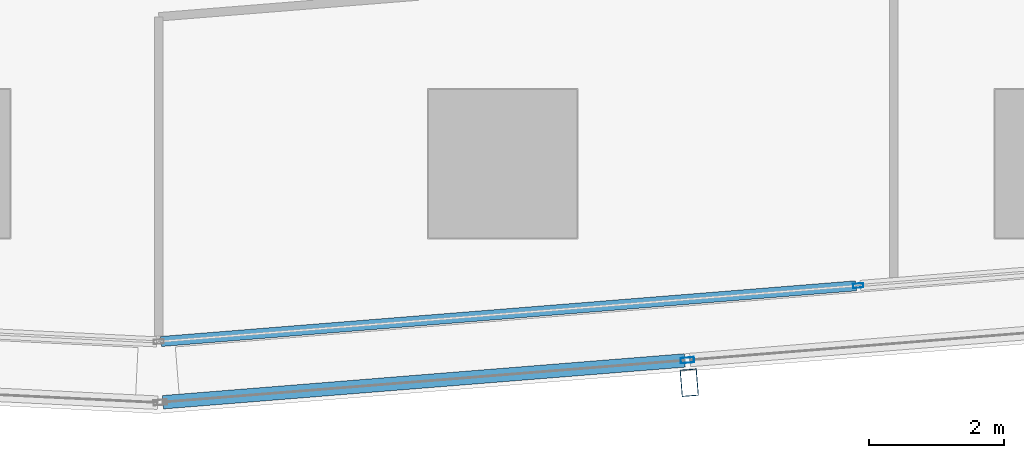
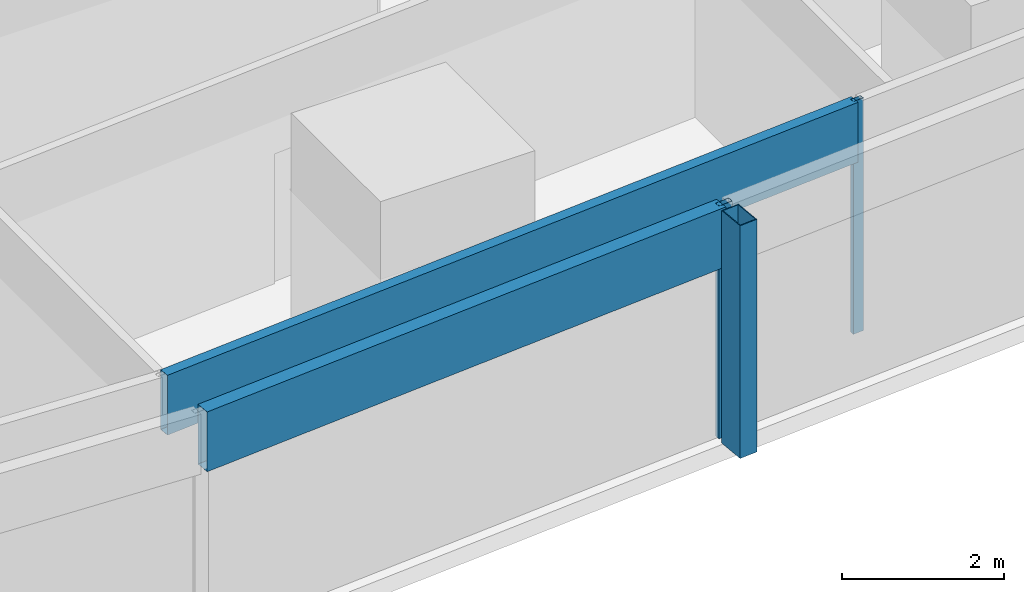
# One storey, part 10 of 44: 5 members, 2 elements without a shape of their own.
"""IFC4 building model written with IfcOpenShell, lengths in metres."""

import ifcopenshell
import ifcopenshell.guid

model = None  # the IFC model being written
_history = None  # IfcOwnerHistory: only IFC2X3 demands one
_inside = {}  # id of a spatial element -> (the spatial element, [elements in it])
_under = {}  # id of a project, library or spatial element -> (it, [spatial elements below it])
_declared = {}  # id of a project -> (the project, [libraries it declares])
_typed = {}  # id of a type object -> (the type object, [elements of that type])
_made_of = {}  # id of a material, layer set ... -> (it, [elements and type objects made of it])


def new_model(schema):
    """Start an empty IFC model of exactly this schema.

    Asked for "IFC4X3", IfcOpenShell would pick the latest addendum, in which some entities
    have other attributes; the version numbers below select the first issue.
    IFC2X3 requires an IfcOwnerHistory on every rooted entity: one is made here for all.
    """
    global model, _history
    if schema == "IFC4X3":
        model = ifcopenshell.file(schema_version=(4, 3, 0, 0))
    else:
        model = ifcopenshell.file(schema=schema)
    _inside.clear()
    _under.clear()
    _declared.clear()
    _typed.clear()
    _made_of.clear()
    _history = None
    if model.schema == "IFC2X3":
        org = make("IfcOrganization", Name="unknown")
        user = make(
            "IfcPersonAndOrganization",
            ThePerson=make("IfcPerson", FamilyName="unknown"),
            TheOrganization=org,
        )
        app = make(
            "IfcApplication",
            ApplicationDeveloper=org,
            Version="unknown",
            ApplicationFullName="unknown",
            ApplicationIdentifier="unknown",
        )
        _history = make(
            "IfcOwnerHistory",
            OwningUser=user,
            OwningApplication=app,
            ChangeAction="ADDED",
            CreationDate=0,
        )
    return model


def make(cls, **values):
    """One entity of the class cls with the attributes given. An attribute that is None is left unset."""
    return model.create_entity(
        cls, **{name: value for name, value in values.items() if value is not None}
    )


def rooted(cls, **values):
    """An entity with a GlobalId (a new one), such as an element, a storey or a relation."""
    return make(cls, GlobalId=ifcopenshell.guid.new(), OwnerHistory=_history, **values)


def si_unit(unit_type, name, prefix=None):
    """IfcSIUnit, for example si_unit("LENGTHUNIT", "METRE", prefix="MILLI")."""
    return make("IfcSIUnit", UnitType=unit_type, Prefix=prefix, Name=name)


def assignment(units):
    """IfcUnitAssignment: the units of a project."""
    return None if units is None else make("IfcUnitAssignment", Units=units)


def point(xyz):
    """IfcCartesianPoint."""
    return None if xyz is None else make("IfcCartesianPoint", Coordinates=xyz)


def direction(xyz):
    """IfcDirection."""
    return None if xyz is None else make("IfcDirection", DirectionRatios=xyz)


def frame(location, z_axis=None, x_axis=None):
    """IfcAxis2Placement3D, a coordinate frame: its origin and axes. An axis left out is left unset."""
    return make(
        "IfcAxis2Placement3D",
        Location=point(location),
        Axis=direction(z_axis),
        RefDirection=direction(x_axis),
    )


def frame_2d(location, x_axis=None):
    """IfcAxis2Placement2D, a coordinate frame in the plane: its origin and x axis."""
    return make(
        "IfcAxis2Placement2D", Location=point(location), RefDirection=direction(x_axis)
    )


def origin():
    """The frame at (0, 0, 0) with its axes left unset."""
    return frame((0.0, 0.0, 0.0))


def origin_2d():
    """The frame at (0, 0) in the plane with its x axis left unset."""
    return frame_2d((0.0, 0.0))


def place(relative_to, where):
    """IfcLocalPlacement: puts the frame where relative to a parent placement (None: the world)."""
    return make(
        "IfcLocalPlacement", PlacementRelTo=relative_to, RelativePlacement=where
    )


def context(
    kind, dimensions, precision=None, world=None, true_north=None, identifier=None
):
    """IfcGeometricRepresentationContext, for example the 3D "Model" context."""
    return make(
        "IfcGeometricRepresentationContext",
        ContextIdentifier=identifier,
        ContextType=kind,
        CoordinateSpaceDimension=dimensions,
        Precision=precision,
        WorldCoordinateSystem=world,
        TrueNorth=true_north,
    )


def subcontext(parent, identifier, kind, view, scale=None):
    """IfcGeometricRepresentationSubContext, for example "Body" below "Model"."""
    return make(
        "IfcGeometricRepresentationSubContext",
        ContextIdentifier=identifier,
        ContextType=kind,
        ParentContext=parent,
        TargetScale=scale,
        TargetView=view,
    )


def project(units=None, contexts=None):
    """IfcProject with its units and contexts."""
    return rooted(
        "IfcProject",
        Name="project",
        RepresentationContexts=contexts,
        UnitsInContext=assignment(units),
    )


def spatial(cls, under=None, at=None, **own):
    """A site, building, storey or space (cls), placed at a placement, below another one or the project."""
    s = rooted(cls, ObjectPlacement=at, **own)
    if under is not None:
        _under.setdefault(under.id(), (under, []))[1].append(s)
    return s


def profile(cls, at=None, kind="AREA", **sizes):
    """A parametric profile (cls). Its sizes go by their IFC names, for example OverallWidth=200.0."""
    return make(cls, ProfileType=kind, Position=at, **sizes)


def hollow_rectangle(**sizes):
    """IfcRectangleHollowProfileDef."""
    return profile("IfcRectangleHollowProfileDef", **sizes)


def extrude(swept, where, along, depth):
    """IfcExtrudedAreaSolid: the profile swept, set in the frame where, extruded along a direction by depth."""
    return make(
        "IfcExtrudedAreaSolid",
        SweptArea=swept,
        Position=where,
        ExtrudedDirection=direction(along),
        Depth=depth,
    )


def shape(context_of_items, identifier, shape_type, items):
    """IfcShapeRepresentation: the items that make up one representation, for example the "Body"."""
    return make(
        "IfcShapeRepresentation",
        ContextOfItems=context_of_items,
        RepresentationIdentifier=identifier,
        RepresentationType=shape_type,
        Items=items,
    )


def material(Name=None, Category=None):
    """IfcMaterial."""
    return make("IfcMaterial", Name=Name, Category=Category)


def material_profile(
    of_material, cross_section, Name=None, Category=None, Priority=None
):
    """IfcMaterialProfile: a cross section and its material."""
    return make(
        "IfcMaterialProfile",
        Name=Name,
        Material=of_material,
        Profile=cross_section,
        Priority=Priority,
        Category=Category,
    )


def profile_set(profiles, Name=None, composite=None):
    """IfcMaterialProfileSet."""
    return make(
        "IfcMaterialProfileSet",
        Name=Name,
        MaterialProfiles=profiles,
        CompositeProfile=composite,
    )


def made_of(thing, what):
    """Note that an element or type object is made of a material, layer set ...; save() writes the relation."""
    if what is not None:
        _made_of.setdefault(what.id(), (what, []))[1].append(thing)
    return thing


def type_object(cls, material=None, **own):
    """A type object (cls), such as IfcWallType, which elements share."""
    return made_of(rooted(cls, **own), material)


def element(
    cls,
    number,
    at=None,
    inside=None,
    cuts=None,
    type_object=None,
    material=None,
    context=None,
    identifier="Body",
    shape_type=None,
    held_by="IfcProductDefinitionShape",
    body=None,
    shapes=None,
    **own,
):
    """One element of the class cls, such as IfcWall. Its Tag is "e" and its number.

    at: its placement. inside: the storey or other place that contains it. cuts: it is an
    opening in that element (IfcRelVoidsElement). A single representation is given by context,
    identifier, shape_type and body (its items); several are given by shapes. held_by: the class
    of the entity that holds the representations. save() writes the other relations.
    """
    e = rooted(cls, Tag="e%d" % number, ObjectPlacement=at, **own)
    if body is not None:
        shapes = [shape(context, identifier, shape_type, body)]
    if shapes is not None:
        e.Representation = make(held_by, Representations=shapes)
    if inside is not None:
        _inside.setdefault(inside.id(), (inside, []))[1].append(e)
    if cuts is not None:
        rooted(
            "IfcRelVoidsElement", RelatingBuildingElement=cuts, RelatedOpeningElement=e
        )
    if type_object is not None:
        _typed.setdefault(type_object.id(), (type_object, []))[1].append(e)
    return made_of(e, material)


def aggregate(whole, parts):
    """IfcRelAggregates: a whole, such as a stair, and the parts it consists of."""
    return rooted("IfcRelAggregates", RelatingObject=whole, RelatedObjects=parts)


def save(model, path):
    """Write the relations noted so far, then the file.

    IfcRelAggregates (storeys below a building ...), IfcRelContainedInSpatialStructure (elements
    in a storey), IfcRelDefinesByType, IfcRelAssociatesMaterial and IfcRelDeclares: one each for
    every whole, place, type object, material and project.
    """
    for whole, parts in _under.values():
        aggregate(whole, parts)
    for where, things in _inside.values():
        rooted(
            "IfcRelContainedInSpatialStructure",
            RelatedElements=things,
            RelatingStructure=where,
        )
    for kind, things in _typed.values():
        rooted("IfcRelDefinesByType", RelatedObjects=things, RelatingType=kind)
    for what, things in _made_of.values():
        rooted("IfcRelAssociatesMaterial", RelatedObjects=things, RelatingMaterial=what)
    for by, libraries in _declared.values():
        rooted("IfcRelDeclares", RelatingContext=by, RelatedDefinitions=libraries)
    model.write(path)


model = new_model("IFC4")

# Units and contexts
model_context = context("Model", 3, precision=1e-05, world=origin(), true_north=direction((0.0, 1.0)))
body_context = subcontext(model_context, "Body", "Model", "MODEL_VIEW")
ifc_project = project(units=[si_unit("LENGTHUNIT", "METRE"), si_unit("AREAUNIT", "SQUARE_METRE"), si_unit("VOLUMEUNIT", "CUBIC_METRE"), si_unit("PLANEANGLEUNIT", "RADIAN"), si_unit("MASSUNIT", "GRAM", prefix="KILO")], contexts=[model_context])

# Site, building, storey
site_placement = place(None, origin())
site = spatial("IfcSite", under=ifc_project, at=site_placement, CompositionType="ELEMENT")
building_placement = place(site_placement, origin())
building = spatial("IfcBuilding", under=site, at=building_placement, Name="Rekha Terrace Tower", CompositionType="ELEMENT")
storey_placement = place(building_placement, frame((0.0, 0.0, 51.64990234375)))
storey = spatial("IfcBuildingStorey", under=building, at=storey_placement, Name="L12", CompositionType="ELEMENT", Elevation=51.64990234375)

# Curtain wall, member
ifc_material_1 = material(Name="Aluminium framing", Category="aluminium")
curtain_wall_type_1 = type_object("IfcCurtainWallType", Name="CW2 double skin outer glazing", PredefinedType="USERDEFINED", material=ifc_material_1)
curtain_wall_1_placement = place(storey_placement, origin())
curtain_wall_1 = element("IfcCurtainWall", 1, at=curtain_wall_1_placement, inside=storey, type_object=curtain_wall_type_1, Name="CW2 double skin outer glazing", ObjectType="DOUBLE SKIN OUTER GLAZING", PredefinedType="USERDEFINED")
ifc_material_2 = material(Name="Steel S355 with fluorocarbon finish", Category="steel")
ifc_material_profile_1 = material_profile(ifc_material_2, hollow_rectangle(XDim=0.25, YDim=0.39990234375, WallThickness=0.012451171875, at=origin_2d()), Name="RHS400x250x12.5")
ifc_profile_set_1 = profile_set([ifc_material_profile_1], Name="Steel S355 with fluorocarbon finish")
member_type_1 = type_object("IfcMemberType", Name="BL1 facade blade RHS 400 x 250", PredefinedType="USERDEFINED", material=ifc_profile_set_1)
member_1_placement = place(storey_placement, frame((53.16748046875, 5.15576171875, 0.0), z_axis=(0.0, 0.0, 1.0), x_axis=(0.996805139821, 0.079871855039, 0.0)))
member_1 = element("IfcMember", 2, at=member_1_placement, type_object=member_type_1, Name="Facade blade", ObjectType="FACADE BLADE", PredefinedType="USERDEFINED", context=body_context, shape_type="SweptSolid", body=[
    extrude(hollow_rectangle(XDim=0.25, YDim=0.39990234375, WallThickness=0.012451171875, at=origin_2d()), origin(), (0.0, 0.0, 1.0), 3.5),
])

# Curtain wall, members
curtain_wall_type_2 = type_object("IfcCurtainWallType", Name="CW1 double skin inner glazing", PredefinedType="USERDEFINED", material=ifc_material_1)
curtain_wall_2_placement = place(storey_placement, origin())
curtain_wall_2 = element("IfcCurtainWall", 3, at=curtain_wall_2_placement, inside=storey, type_object=curtain_wall_type_2, Name="CW1 double skin inner glazing", ObjectType="DOUBLE SKIN INNER GLAZING", PredefinedType="USERDEFINED")
ifc_material_3 = material(Name="Aluminium mullion section", Category="aluminium")
ifc_material_profile_2 = material_profile(ifc_material_3, hollow_rectangle(XDim=0.06494140625, YDim=0.14990234375, WallThickness=0.00390625, at=origin_2d()), Name="AL RHS 65x150")
ifc_profile_set_2 = profile_set([ifc_material_profile_2], Name="Aluminium mullion section")
member_type_2 = type_object("IfcMemberType", Name="CW1 mullion RHS 65 x 150", PredefinedType="MULLION", material=ifc_profile_set_2)
member_2_placement = place(storey_placement, frame((55.672119140625, 6.595458984375, 0.0), z_axis=(0.0, 0.0, 1.0), x_axis=(-0.079872204468, 0.996805111821, 0.0)))
member_2 = element("IfcMember", 4, at=member_2_placement, type_object=member_type_2, Name="CW1 mullion 2", PredefinedType="MULLION", context=body_context, shape_type="SweptSolid", body=[
    extrude(hollow_rectangle(XDim=0.06494140625, YDim=0.14990234375, WallThickness=0.00390625, at=origin_2d()), origin(), (0.0, 0.0, 1.0), 3.5),
])
ifc_material_4 = material(Name="Insulated aluminium spandrel box", Category="aluminium")
ifc_material_profile_3 = material_profile(ifc_material_4, hollow_rectangle(XDim=0.14990234375, YDim=0.89990234375, WallThickness=0.0029296875, at=origin_2d()), Name="AL SPANDREL BOX 150x900")
ifc_profile_set_3 = profile_set([ifc_material_profile_3], Name="Insulated aluminium spandrel box")
member_type_3 = type_object("IfcMemberType", Name="CW1 spandrel transom 150 x 900", PredefinedType="USERDEFINED", material=ifc_profile_set_3)
member_3_placement = place(storey_placement, frame((45.33642578125, 5.767333984375, 3.050048828125), z_axis=(0.996806184606, 0.079858814989, 0.0), x_axis=(-0.079858814989, 0.996806184606, 0.0)))
member_3 = element("IfcMember", 5, at=member_3_placement, type_object=member_type_3, Name="CW1 spandrel transom 1", ObjectType="TRANSOM", PredefinedType="USERDEFINED", context=body_context, shape_type="SweptSolid", body=[
    extrude(hollow_rectangle(XDim=0.14990234375, YDim=0.89990234375, WallThickness=0.0029296875, at=origin_2d()), origin(), (0.0, 0.0, 1.0), 10.336181640625),
])
aggregate(curtain_wall_2, [member_2, member_3])

# Member
ifc_material_profile_4 = material_profile(ifc_material_3, hollow_rectangle(XDim=0.080078125, YDim=0.199951171875, WallThickness=0.00390625, at=origin_2d()), Name="AL RHS 80x200")
ifc_profile_set_4 = profile_set([ifc_material_profile_4], Name="Aluminium mullion section")
member_type_4 = type_object("IfcMemberType", Name="CW2 mullion RHS 80 x 200", PredefinedType="MULLION", material=ifc_profile_set_4)
member_4_placement = place(storey_placement, frame((53.140869140625, 5.48974609375, 0.0), z_axis=(0.0, 0.0, 1.0), x_axis=(-0.079872204468, 0.996805111821, 0.0)))
member_4 = element("IfcMember", 6, at=member_4_placement, type_object=member_type_4, Name="CW2 mullion 2", PredefinedType="MULLION", context=body_context, shape_type="SweptSolid", body=[
    extrude(hollow_rectangle(XDim=0.080078125, YDim=0.199951171875, WallThickness=0.00390625, at=origin_2d()), origin(), (0.0, 0.0, 1.0), 3.5),
])

ifc_material_profile_5 = material_profile(ifc_material_4, hollow_rectangle(XDim=0.199951171875, YDim=0.89990234375, WallThickness=0.0029296875, at=origin_2d()), Name="AL SPANDREL BOX 200x900")
ifc_profile_set_5 = profile_set([ifc_material_profile_5], Name="Insulated aluminium spandrel box")
member_type_5 = type_object("IfcMemberType", Name="CW2 spandrel transom 200 x 900", PredefinedType="USERDEFINED", material=ifc_profile_set_5)
member_5_placement = place(storey_placement, frame((45.365234375, 4.86669921875, 3.050048828125), z_axis=(0.996804766607, 0.079876512622, 0.0), x_axis=(-0.079876512622, 0.996804766607, 0.0)))
member_5 = element("IfcMember", 7, at=member_5_placement, type_object=member_type_5, Name="CW2 spandrel transom 1", ObjectType="TRANSOM", PredefinedType="USERDEFINED", context=body_context, shape_type="SweptSolid", body=[
    extrude(hollow_rectangle(XDim=0.199951171875, YDim=0.89990234375, WallThickness=0.0029296875, at=origin_2d()), origin(), (0.0, 0.0, 1.0), 7.760498046875),
])

aggregate(curtain_wall_1, [member_4, member_5, member_1])

save(model, "model.ifc")
